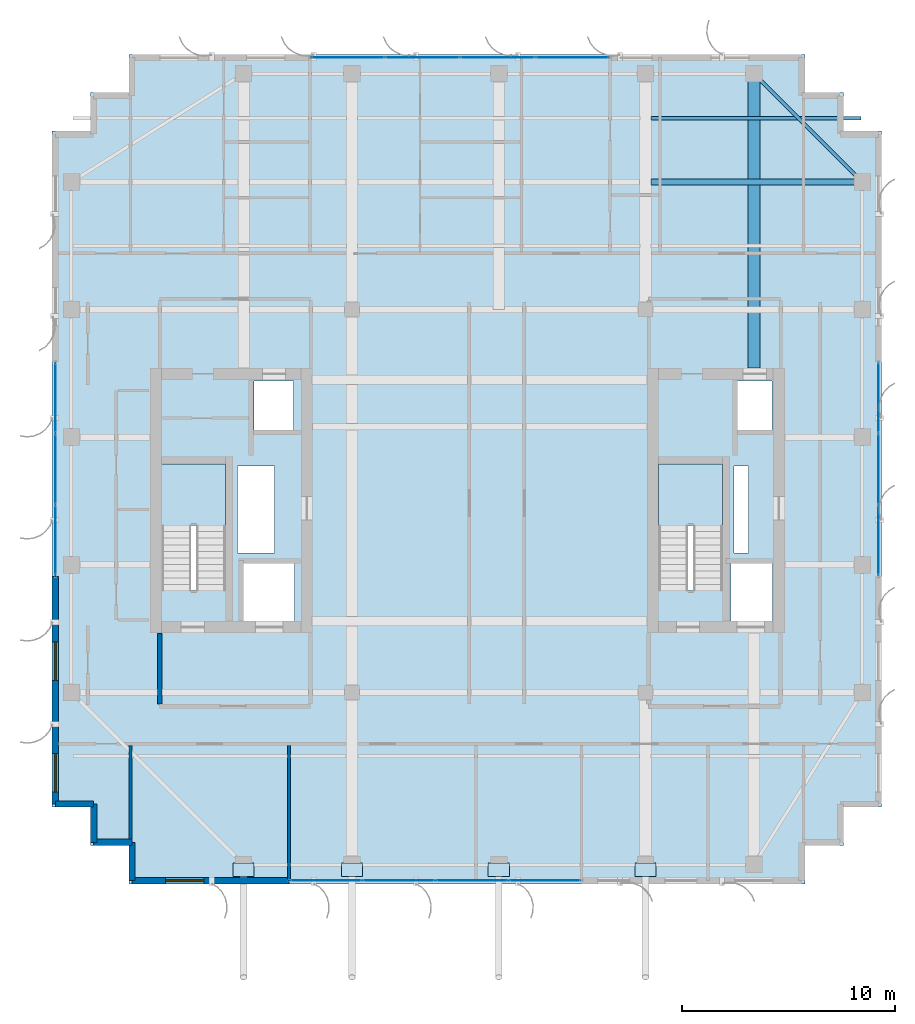
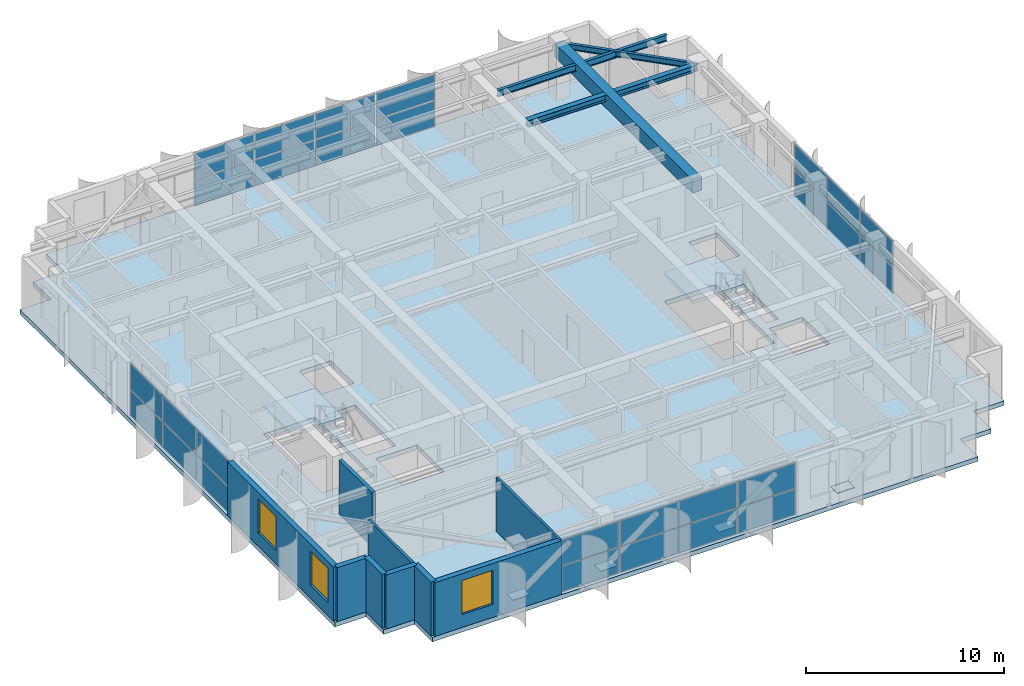
# One storey, part 16 of 22: 32 plates, 9 walls, 4 beams, 3 slabs, 3 windows, 3 openings, 6 elements without a shape of their own.
"""IFC4 building model written with IfcOpenShell, lengths in metres."""

import ifcopenshell
import ifcopenshell.guid

model = None  # the IFC model being written
_history = None  # IfcOwnerHistory: only IFC2X3 demands one
_inside = {}  # id of a spatial element -> (the spatial element, [elements in it])
_under = {}  # id of a project, library or spatial element -> (it, [spatial elements below it])
_declared = {}  # id of a project -> (the project, [libraries it declares])
_typed = {}  # id of a type object -> (the type object, [elements of that type])
_made_of = {}  # id of a material, layer set ... -> (it, [elements and type objects made of it])


def new_model(schema):
    """Start an empty IFC model of exactly this schema.

    Asked for "IFC4X3", IfcOpenShell would pick the latest addendum, in which some entities
    have other attributes; the version numbers below select the first issue.
    IFC2X3 requires an IfcOwnerHistory on every rooted entity: one is made here for all.
    """
    global model, _history
    if schema == "IFC4X3":
        model = ifcopenshell.file(schema_version=(4, 3, 0, 0))
    else:
        model = ifcopenshell.file(schema=schema)
    _inside.clear()
    _under.clear()
    _declared.clear()
    _typed.clear()
    _made_of.clear()
    _history = None
    if model.schema == "IFC2X3":
        org = make("IfcOrganization", Name="unknown")
        user = make(
            "IfcPersonAndOrganization",
            ThePerson=make("IfcPerson", FamilyName="unknown"),
            TheOrganization=org,
        )
        app = make(
            "IfcApplication",
            ApplicationDeveloper=org,
            Version="unknown",
            ApplicationFullName="unknown",
            ApplicationIdentifier="unknown",
        )
        _history = make(
            "IfcOwnerHistory",
            OwningUser=user,
            OwningApplication=app,
            ChangeAction="ADDED",
            CreationDate=0,
        )
    return model


def make(cls, **values):
    """One entity of the class cls with the attributes given. An attribute that is None is left unset."""
    return model.create_entity(
        cls, **{name: value for name, value in values.items() if value is not None}
    )


def rooted(cls, **values):
    """An entity with a GlobalId (a new one), such as an element, a storey or a relation."""
    return make(cls, GlobalId=ifcopenshell.guid.new(), OwnerHistory=_history, **values)


def si_unit(unit_type, name, prefix=None):
    """IfcSIUnit, for example si_unit("LENGTHUNIT", "METRE", prefix="MILLI")."""
    return make("IfcSIUnit", UnitType=unit_type, Prefix=prefix, Name=name)


def assignment(units):
    """IfcUnitAssignment: the units of a project."""
    return None if units is None else make("IfcUnitAssignment", Units=units)


def point(xyz):
    """IfcCartesianPoint."""
    return None if xyz is None else make("IfcCartesianPoint", Coordinates=xyz)


def direction(xyz):
    """IfcDirection."""
    return None if xyz is None else make("IfcDirection", DirectionRatios=xyz)


def frame(location, z_axis=None, x_axis=None):
    """IfcAxis2Placement3D, a coordinate frame: its origin and axes. An axis left out is left unset."""
    return make(
        "IfcAxis2Placement3D",
        Location=point(location),
        Axis=direction(z_axis),
        RefDirection=direction(x_axis),
    )


def frame_2d(location, x_axis=None):
    """IfcAxis2Placement2D, a coordinate frame in the plane: its origin and x axis."""
    return make(
        "IfcAxis2Placement2D", Location=point(location), RefDirection=direction(x_axis)
    )


def origin():
    """The frame at (0, 0, 0) with its axes left unset."""
    return frame((0.0, 0.0, 0.0))


def origin_2d():
    """The frame at (0, 0) in the plane with its x axis left unset."""
    return frame_2d((0.0, 0.0))


def place(relative_to, where):
    """IfcLocalPlacement: puts the frame where relative to a parent placement (None: the world)."""
    return make(
        "IfcLocalPlacement", PlacementRelTo=relative_to, RelativePlacement=where
    )


def context(
    kind, dimensions, precision=None, world=None, true_north=None, identifier=None
):
    """IfcGeometricRepresentationContext, for example the 3D "Model" context."""
    return make(
        "IfcGeometricRepresentationContext",
        ContextIdentifier=identifier,
        ContextType=kind,
        CoordinateSpaceDimension=dimensions,
        Precision=precision,
        WorldCoordinateSystem=world,
        TrueNorth=true_north,
    )


def subcontext(parent, identifier, kind, view, scale=None):
    """IfcGeometricRepresentationSubContext, for example "Body" below "Model"."""
    return make(
        "IfcGeometricRepresentationSubContext",
        ContextIdentifier=identifier,
        ContextType=kind,
        ParentContext=parent,
        TargetScale=scale,
        TargetView=view,
    )


def project(units=None, contexts=None):
    """IfcProject with its units and contexts."""
    return rooted(
        "IfcProject",
        Name="project",
        RepresentationContexts=contexts,
        UnitsInContext=assignment(units),
    )


def spatial(cls, under=None, at=None, **own):
    """A site, building, storey or space (cls), placed at a placement, below another one or the project."""
    s = rooted(cls, ObjectPlacement=at, **own)
    if under is not None:
        _under.setdefault(under.id(), (under, []))[1].append(s)
    return s


def polyline(points):
    """IfcPolyline through the points."""
    return make("IfcPolyline", Points=[point(p) for p in points])


def profile(cls, at=None, kind="AREA", **sizes):
    """A parametric profile (cls). Its sizes go by their IFC names, for example OverallWidth=200.0."""
    return make(cls, ProfileType=kind, Position=at, **sizes)


def rectangle(**sizes):
    """IfcRectangleProfileDef."""
    return profile("IfcRectangleProfileDef", **sizes)


def i_section(**sizes):
    """IfcIShapeProfileDef."""
    return profile("IfcIShapeProfileDef", **sizes)


def outline(outer, holes=None, kind="AREA"):
    """IfcArbitraryClosedProfileDef: a profile drawn as a closed curve; with holes, ...WithVoids."""
    if holes is None:
        return make("IfcArbitraryClosedProfileDef", ProfileType=kind, OuterCurve=outer)
    return make(
        "IfcArbitraryProfileDefWithVoids",
        ProfileType=kind,
        OuterCurve=outer,
        InnerCurves=holes,
    )


def extrude(swept, where, along, depth):
    """IfcExtrudedAreaSolid: the profile swept, set in the frame where, extruded along a direction by depth."""
    return make(
        "IfcExtrudedAreaSolid",
        SweptArea=swept,
        Position=where,
        ExtrudedDirection=direction(along),
        Depth=depth,
    )


def shape(context_of_items, identifier, shape_type, items):
    """IfcShapeRepresentation: the items that make up one representation, for example the "Body"."""
    return make(
        "IfcShapeRepresentation",
        ContextOfItems=context_of_items,
        RepresentationIdentifier=identifier,
        RepresentationType=shape_type,
        Items=items,
    )


def source(mapping_origin, context_of_items, identifier, shape_type, items):
    """IfcRepresentationMap: a shape defined once, which mapped items show again and again."""
    return make(
        "IfcRepresentationMap",
        MappingOrigin=mapping_origin,
        MappedRepresentation=shape(context_of_items, identifier, shape_type, items),
    )


def transform(
    local_origin,
    x_axis=None,
    y_axis=None,
    z_axis=None,
    scale=None,
    scale2=None,
    scale3=None,
    uniform=True,
):
    """IfcCartesianTransformationOperator3D, or its non-uniform kind. x_axis, y_axis, z_axis: its Axis1, 2, 3."""
    if uniform:
        return make(
            "IfcCartesianTransformationOperator3D",
            Axis1=direction(x_axis),
            Axis2=direction(y_axis),
            LocalOrigin=point(local_origin),
            Scale=scale,
            Axis3=direction(z_axis),
        )
    return make(
        "IfcCartesianTransformationOperator3DnonUniform",
        Axis1=direction(x_axis),
        Axis2=direction(y_axis),
        LocalOrigin=point(local_origin),
        Scale=scale,
        Axis3=direction(z_axis),
        Scale2=scale2,
        Scale3=scale3,
    )


def mapped(mapping_source, mapping_target):
    """IfcMappedItem: shows the shape of a source again, moved by a transform."""
    return make(
        "IfcMappedItem", MappingSource=mapping_source, MappingTarget=mapping_target
    )


def material(Name=None, Category=None):
    """IfcMaterial."""
    return make("IfcMaterial", Name=Name, Category=Category)


def layer(
    of_material, thickness, ventilated=None, Name=None, Category=None, Priority=None
):
    """IfcMaterialLayer: one layer of a wall or slab, of a material (None: an air gap)."""
    return make(
        "IfcMaterialLayer",
        Material=of_material,
        LayerThickness=thickness,
        IsVentilated=ventilated,
        Name=Name,
        Category=Category,
        Priority=Priority,
    )


def layer_set(layers, Name=None):
    """IfcMaterialLayerSet."""
    return make("IfcMaterialLayerSet", MaterialLayers=layers, LayerSetName=Name)


def material_profile(
    of_material, cross_section, Name=None, Category=None, Priority=None
):
    """IfcMaterialProfile: a cross section and its material."""
    return make(
        "IfcMaterialProfile",
        Name=Name,
        Material=of_material,
        Profile=cross_section,
        Priority=Priority,
        Category=Category,
    )


def profile_set(profiles, Name=None, composite=None):
    """IfcMaterialProfileSet."""
    return make(
        "IfcMaterialProfileSet",
        Name=Name,
        MaterialProfiles=profiles,
        CompositeProfile=composite,
    )


def made_of(thing, what):
    """Note that an element or type object is made of a material, layer set ...; save() writes the relation."""
    if what is not None:
        _made_of.setdefault(what.id(), (what, []))[1].append(thing)
    return thing


def type_object(cls, material=None, **own):
    """A type object (cls), such as IfcWallType, which elements share."""
    return made_of(rooted(cls, **own), material)


def element(
    cls,
    number,
    at=None,
    inside=None,
    cuts=None,
    type_object=None,
    material=None,
    context=None,
    identifier="Body",
    shape_type=None,
    held_by="IfcProductDefinitionShape",
    body=None,
    shapes=None,
    **own,
):
    """One element of the class cls, such as IfcWall. Its Tag is "e" and its number.

    at: its placement. inside: the storey or other place that contains it. cuts: it is an
    opening in that element (IfcRelVoidsElement). A single representation is given by context,
    identifier, shape_type and body (its items); several are given by shapes. held_by: the class
    of the entity that holds the representations. save() writes the other relations.
    """
    e = rooted(cls, Tag="e%d" % number, ObjectPlacement=at, **own)
    if body is not None:
        shapes = [shape(context, identifier, shape_type, body)]
    if shapes is not None:
        e.Representation = make(held_by, Representations=shapes)
    if inside is not None:
        _inside.setdefault(inside.id(), (inside, []))[1].append(e)
    if cuts is not None:
        rooted(
            "IfcRelVoidsElement", RelatingBuildingElement=cuts, RelatedOpeningElement=e
        )
    if type_object is not None:
        _typed.setdefault(type_object.id(), (type_object, []))[1].append(e)
    return made_of(e, material)


def fill(opening, filler):
    """IfcRelFillsElement: the door or window that sits in an opening."""
    return rooted(
        "IfcRelFillsElement",
        RelatingOpeningElement=opening,
        RelatedBuildingElement=filler,
    )


def aggregate(whole, parts):
    """IfcRelAggregates: a whole, such as a stair, and the parts it consists of."""
    return rooted("IfcRelAggregates", RelatingObject=whole, RelatedObjects=parts)


def save(model, path):
    """Write the relations noted so far, then the file.

    IfcRelAggregates (storeys below a building ...), IfcRelContainedInSpatialStructure (elements
    in a storey), IfcRelDefinesByType, IfcRelAssociatesMaterial and IfcRelDeclares: one each for
    every whole, place, type object, material and project.
    """
    for whole, parts in _under.values():
        aggregate(whole, parts)
    for where, things in _inside.values():
        rooted(
            "IfcRelContainedInSpatialStructure",
            RelatedElements=things,
            RelatingStructure=where,
        )
    for kind, things in _typed.values():
        rooted("IfcRelDefinesByType", RelatedObjects=things, RelatingType=kind)
    for what, things in _made_of.values():
        rooted("IfcRelAssociatesMaterial", RelatedObjects=things, RelatingMaterial=what)
    for by, libraries in _declared.values():
        rooted("IfcRelDeclares", RelatingContext=by, RelatedDefinitions=libraries)
    model.write(path)


model = new_model("IFC4")

# Units and contexts
model_context = context("Model", 3, precision=1e-05, world=origin(), true_north=direction((0.0, 1.0)))
body_context = subcontext(model_context, "Body", "Model", "MODEL_VIEW")
ifc_project = project(units=[si_unit("LENGTHUNIT", "METRE"), si_unit("AREAUNIT", "SQUARE_METRE"), si_unit("VOLUMEUNIT", "CUBIC_METRE"), si_unit("PLANEANGLEUNIT", "RADIAN"), si_unit("MASSUNIT", "GRAM", prefix="KILO")], contexts=[model_context])

# Site, building, storey
site_placement = place(None, origin())
site = spatial("IfcSite", under=ifc_project, at=site_placement, CompositionType="ELEMENT")
building_placement = place(site_placement, origin())
building = spatial("IfcBuilding", under=site, at=building_placement, Name="Khoralis Quay Care Tower", CompositionType="ELEMENT")
storey_placement = place(building_placement, frame((0.0, 0.0, 278.10009765625)))
storey = spatial("IfcBuildingStorey", under=building, at=storey_placement, Name="L73", CompositionType="ELEMENT", Elevation=278.10009765625)

# Beams
ifc_material_1 = material(Name="Steel S355", Category="steel")
ifc_material_profile_1 = material_profile(ifc_material_1, i_section(OverallWidth=0.169921875, OverallDepth=0.360107421875, WebThickness=0.008056640625, FlangeThickness=0.0126953125, FilletRadius=0.01806640625, at=origin_2d()), Name="Steel S355")
ifc_profile_set_1 = profile_set([ifc_material_profile_1], Name="Steel S355")
beam_type_1 = type_object("IfcBeamType", Name="BM-IPE360", PredefinedType="SPANDREL", material=ifc_profile_set_1)
shared_shape_1 = source(origin(), body_context, "Body", "SweptSolid", [
    extrude(i_section(OverallWidth=0.169921875, OverallDepth=0.360107421875, WebThickness=0.008056640625, FlangeThickness=0.0126953125, FilletRadius=0.01806640625, at=origin_2d()), origin(), (0.0, 0.0, 1.0), 7.212646484375),
])
beam_1_placement = place(storey_placement, frame((36.0, 41.10009765625, 3.139892578125), z_axis=(0.707106781187, -0.707106781187, 0.0), x_axis=(0.707106781187, 0.707106781187, 0.0)))
element("IfcBeam", 1, at=beam_1_placement, inside=storey, type_object=beam_type_1, Name="BM-TCR-L73-20", PredefinedType="SPANDREL", context=body_context, shape_type="MappedRepresentation", body=[
    mapped(shared_shape_1, transform((0.0, 0.0, 0.0), scale=1.0)),
])
ifc_material_profile_2 = material_profile(ifc_material_1, i_section(OverallWidth=0.300048828125, OverallDepth=0.39990234375, WebThickness=0.013427734375, FlangeThickness=0.02392578125, FilletRadius=0.027099609375, at=origin_2d()), Name="Steel S355")
ifc_profile_set_2 = profile_set([ifc_material_profile_2], Name="Steel S355")
beam_type_2 = type_object("IfcBeamType", Name="BM-HEB400", PredefinedType="BEAM", material=ifc_profile_set_2)
shared_shape_2 = source(origin(), body_context, "Body", "SweptSolid", [
    extrude(i_section(OverallWidth=0.300048828125, OverallDepth=0.39990234375, WebThickness=0.013427734375, FlangeThickness=0.02392578125, FilletRadius=0.027099609375, at=origin_2d()), origin(), (0.0, 0.0, 1.0), 9.93701171875),
])
beam_2_placement = place(storey_placement, frame((31.1630859375, 36.0, 3.119873046875), z_axis=(1.0, 0.0, 0.0), x_axis=(0.0, 1.0, 0.0)))
element("IfcBeam", 2, at=beam_2_placement, inside=storey, type_object=beam_type_2, Name="BM-TGXE-L73-360", PredefinedType="BEAM", context=body_context, shape_type="MappedRepresentation", body=[
    mapped(shared_shape_2, transform((0.0, 0.0, 0.0), scale=1.0)),
])
ifc_material_2 = material(Name="Concrete C50/60", Category="concrete")
ifc_material_profile_3 = material_profile(ifc_material_2, rectangle(XDim=0.550048828125, YDim=0.85009765625, at=origin_2d()), Name="Concrete C50/60")
ifc_profile_set_3 = profile_set([ifc_material_profile_3], Name="Concrete C50/60")
beam_type_3 = type_object("IfcBeamType", Name="BM-RC550X850", PredefinedType="BEAM", material=ifc_profile_set_3)
shared_shape_3 = source(origin(), body_context, "Body", "SweptSolid", [
    extrude(rectangle(XDim=0.550048828125, YDim=0.85009765625, at=origin_2d()), origin(), (0.0, 0.0, 1.0), 13.85205078125),
])
beam_3_placement = place(storey_placement, frame((36.0, 27.248046875, 2.89501953125), z_axis=(0.0, 1.0, 0.0), x_axis=(-1.0, 0.0, 0.0)))
element("IfcBeam", 3, at=beam_3_placement, inside=storey, type_object=beam_type_3, Name="BM-TGYN-L73-360", PredefinedType="BEAM", context=body_context, shape_type="MappedRepresentation", body=[
    mapped(shared_shape_3, transform((0.0, 0.0, 0.0), scale=1.0)),
])
ifc_material_profile_4 = material_profile(ifc_material_1, i_section(OverallWidth=0.177978515625, OverallDepth=0.406982421875, WebThickness=0.0078125, FlangeThickness=0.0126953125, FilletRadius=0.012939453125, at=origin_2d()), Name="Steel S355")
ifc_profile_set_4 = profile_set([ifc_material_profile_4], Name="Steel S355")
beam_type_4 = type_object("IfcBeamType", Name="BM-W410X60", PredefinedType="JOIST", material=ifc_profile_set_4)
shared_shape_4 = source(origin(), body_context, "Body", "SweptSolid", [
    extrude(i_section(OverallWidth=0.177978515625, OverallDepth=0.406982421875, WebThickness=0.0078125, FlangeThickness=0.0126953125, FilletRadius=0.012939453125, at=origin_2d()), origin(), (0.0, 0.0, 1.0), 9.865966796875),
])
beam_4_placement = place(storey_placement, frame((31.1630859375, 39.0, 3.116455078125), z_axis=(1.0, 0.0, 0.0), x_axis=(0.0, 1.0, 0.0)))
element("IfcBeam", 4, at=beam_4_placement, inside=storey, type_object=beam_type_4, Name="BM-TJS-L73-28", PredefinedType="JOIST", context=body_context, shape_type="MappedRepresentation", body=[
    mapped(shared_shape_4, transform((0.0, 0.0, 0.0), scale=1.0)),
])

# Stair, slab
ifc_material_3 = material(Name="Precast concrete C45/55", Category="concrete")
stair_type = type_object("IfcStairType", Name="ST-TWR-DOGLEG-1400", PredefinedType="HALF_TURN_STAIR", material=ifc_material_3)
stair_1_placement = place(storey_placement, origin())
stair_1 = element("IfcStair", 5, at=stair_1_placement, inside=storey, type_object=stair_type, Name="L73 West Core Exit Stair ST-T1", PredefinedType="HALF_TURN_STAIR")
ifc_layer_1 = layer(ifc_material_3, 0.199951171875)
ifc_layer_set_1 = layer_set([ifc_layer_1], Name="Precast concrete C45/55")
slab_type_1 = type_object("IfcSlabType", Name="SLB-LANDING-200", PredefinedType="LANDING", material=ifc_layer_set_1)
slab_1_placement = place(storey_placement, frame((0.0, 0.0, 1.599853515625)))
slab_1 = element("IfcSlab", 6, at=slab_1_placement, type_object=slab_type_1, Name="ST-T1 landing 1", PredefinedType="LANDING", context=body_context, shape_type="SweptSolid", body=[
    extrude(outline(polyline([(11.14990234375, 19.840087890625), (11.14990234375, 22.75), (8.14990234375, 22.75), (8.14990234375, 19.840087890625), (11.14990234375, 19.840087890625)])), origin(), (0.0, 0.0, 1.0), 0.199951171875),
])
aggregate(stair_1, [slab_1])

stair_2_placement = place(storey_placement, origin())
stair_2 = element("IfcStair", 7, at=stair_2_placement, inside=storey, type_object=stair_type, Name="L73 East Core Exit Stair ST-T2", PredefinedType="HALF_TURN_STAIR")
slab_2_placement = place(storey_placement, frame((0.0, 0.0, 1.599853515625)))
slab_2 = element("IfcSlab", 8, at=slab_2_placement, type_object=slab_type_1, Name="ST-T2 landing 1", PredefinedType="LANDING", context=body_context, shape_type="SweptSolid", body=[
    extrude(outline(polyline([(34.52001953125, 19.840087890625), (34.52001953125, 22.75), (31.52001953125, 22.75), (31.52001953125, 19.840087890625), (34.52001953125, 19.840087890625)])), origin(), (0.0, 0.0, 1.0), 0.199951171875),
])
aggregate(stair_2, [slab_2])

# Slab
ifc_material_4 = material(Name="Concrete C40/50", Category="concrete")
ifc_layer_2 = layer(ifc_material_4, 0.280029296875)
ifc_layer_set_2 = layer_set([ifc_layer_2], Name="Concrete C40/50")
slab_type_2 = type_object("IfcSlabType", Name="SLB-TWR-280", PredefinedType="FLOOR", material=ifc_layer_set_2)
slab_3_placement = place(storey_placement, frame((0.0, 0.0, -0.280029296875)))
element("IfcSlab", 9, at=slab_3_placement, inside=storey, type_object=slab_type_2, Name="Tower Floor Slab L73", PredefinedType="FLOOR", context=body_context, shape_type="SweptSolid", body=[
    extrude(outline(polyline([(6.60009765625, 3.0), (38.39990234375, 3.0), (38.39990234375, 4.800048828125), (40.199951171875, 4.800048828125), (40.199951171875, 6.60009765625), (42.0, 6.60009765625), (42.0, 38.39990234375), (40.199951171875, 38.39990234375), (40.199951171875, 40.199951171875), (38.39990234375, 40.199951171875), (38.39990234375, 42.0), (6.60009765625, 42.0), (6.60009765625, 40.199951171875), (4.800048828125, 40.199951171875), (4.800048828125, 38.39990234375), (3.0, 38.39990234375), (3.0, 6.60009765625), (4.800048828125, 6.60009765625), (4.800048828125, 4.800048828125), (6.60009765625, 4.800048828125), (6.60009765625, 3.0)]), holes=[polyline([(11.14990234375, 16.800048828125), (11.14990234375, 22.75), (8.14990234375, 22.75), (8.14990234375, 16.800048828125), (11.14990234375, 16.800048828125)]), polyline([(34.52001953125, 16.800048828125), (34.52001953125, 22.75), (31.52001953125, 22.75), (31.52001953125, 16.800048828125), (34.52001953125, 16.800048828125)]), polyline([(12.0, 15.35009765625), (14.39990234375, 15.35009765625), (14.39990234375, 18.050048828125), (12.0, 18.050048828125), (12.0, 15.35009765625)]), polyline([(34.919921875, 15.35009765625), (36.8798828125, 15.35009765625), (36.8798828125, 18.050048828125), (34.919921875, 18.050048828125), (34.919921875, 15.35009765625)]), polyline([(12.5, 24.35009765625), (14.35009765625, 24.35009765625), (14.35009765625, 26.64990234375), (12.5, 26.64990234375), (12.5, 24.35009765625)]), polyline([(35.199951171875, 24.35009765625), (36.85009765625, 24.35009765625), (36.85009765625, 26.64990234375), (35.199951171875, 26.64990234375), (35.199951171875, 24.35009765625)]), polyline([(11.719970703125, 18.550048828125), (13.449951171875, 18.550048828125), (13.449951171875, 22.64990234375), (11.719970703125, 22.64990234375), (11.719970703125, 18.550048828125)]), polyline([(35.050048828125, 18.550048828125), (35.75, 18.550048828125), (35.75, 22.64990234375), (35.050048828125, 22.64990234375), (35.050048828125, 18.550048828125)])]), origin(), (0.0, 0.0, 1.0), 0.280029296875),
])

# Plates
ifc_material_5 = material(Name="Steel S460", Category="steel")
ifc_layer_3 = layer(ifc_material_5, 0.031982421875)
ifc_layer_set_3 = layer_set([ifc_layer_3], Name="Steel S460")
plate_type_1 = type_object("IfcPlateType", Name="PLT-NODE-VPN1", PredefinedType="USERDEFINED", material=ifc_layer_set_3)
shared_shape_5 = source(origin(), body_context, "Body", "SweptSolid", [
    extrude(rectangle(XDim=1.0, YDim=0.64990234375, at=origin_2d()), origin(), (0.0, 0.0, 1.0), 0.031982421875),
])
for number, where, z_axis, x_axis, name in (
    (10, (12.0, 3.659912109375, 0.333984375), (0.0, 0.0, 1.0), (1.0, 0.0, 0.0), "PLT-SPND-1-36-2784"),
    (11, (17.10009765625, 3.659912109375, 0.333984375), (0.0, 0.0, 1.0), (1.0, 0.0, 0.0), "PLT-SPND-2-36-2784"),
    (12, (24.0, 3.659912109375, 0.333984375), (0.0, 0.0, 1.0), (1.0, 0.0, 0.0), "PLT-SPND-3-36-2784"),
    (13, (30.89990234375, 3.659912109375, 0.333984375), (0.0, 0.0, 1.0), (1.0, 0.0, 0.0), "PLT-SPND-4-36-2784"),
):
    element("IfcPlate", number, at=place(storey_placement, frame(where, z_axis=z_axis, x_axis=x_axis)), inside=storey, type_object=plate_type_1, Name=name, ObjectType="GUSSET_PLATE", PredefinedType="USERDEFINED", context=body_context, shape_type="MappedRepresentation", body=[
        mapped(shared_shape_5, transform((0.0, 0.0, 0.0), scale=1.0)),
    ])

# Curtain wall, plates
ifc_material_6 = material(Name="Pale anodised aluminium", Category="aluminium")
ifc_layer_4 = layer(ifc_material_6, 0.159912109375)
ifc_layer_set_4 = layer_set([ifc_layer_4], Name="Pale anodised aluminium")
curtain_wall_type = type_object("IfcCurtainWallType", Name="CW-SYS-Z3", PredefinedType="NOTDEFINED", material=ifc_layer_set_4)
curtain_wall_1_placement = place(storey_placement, origin())
curtain_wall_1 = element("IfcCurtainWall", 14, at=curtain_wall_1_placement, inside=storey, type_object=curtain_wall_type, Name="L73 Unitised Curtain Wall CW-L73-P1-E5", PredefinedType="NOTDEFINED")
ifc_material_7 = material(Name="Low-E solar-control double glazing", Category="glass")
ifc_layer_5 = layer(ifc_material_7, 0.031982421875)
ifc_layer_set_5 = layer_set([ifc_layer_5], Name="Low-E solar-control double glazing")
plate_type_2 = type_object("IfcPlateType", Name="PNL-VIS-32", PredefinedType="CURTAIN_PANEL", material=ifc_layer_set_5)
shared_shape_6 = source(origin(), body_context, "Body", "SweptSolid", [
    extrude(rectangle(XDim=3.27001953125, YDim=0.028076171875, at=origin_2d()), origin(), (0.0, 0.0, 1.0), 1.570068359375),
])
plate_1_placement = place(storey_placement, frame((41.85009765625, 19.155029296875, 0.06005859375), z_axis=(0.0, 0.0, 1.0), x_axis=(0.0, 1.0, 0.0)))
plate_1 = element("IfcPlate", 15, at=plate_1_placement, type_object=plate_type_2, Name="CW3 panel 1.1", PredefinedType="CURTAIN_PANEL", context=body_context, shape_type="MappedRepresentation", body=[
    mapped(shared_shape_6, transform((0.0, 0.0, 0.0), scale=1.0)),
])
plate_2_placement = place(storey_placement, frame((41.85009765625, 19.155029296875, 1.68994140625), z_axis=(0.0, 0.0, 1.0), x_axis=(0.0, 1.0, 0.0)))
plate_2 = element("IfcPlate", 16, at=plate_2_placement, type_object=plate_type_2, Name="CW3 panel 1.2", PredefinedType="CURTAIN_PANEL", context=body_context, shape_type="MappedRepresentation", body=[
    mapped(shared_shape_6, transform((0.0, 0.0, 0.0), scale=1.0)),
])
plate_3_placement = place(storey_placement, frame((41.85009765625, 25.844970703125, 0.06005859375), z_axis=(0.0, 0.0, 1.0), x_axis=(0.0, 1.0, 0.0)))
plate_3 = element("IfcPlate", 17, at=plate_3_placement, type_object=plate_type_2, Name="CW3 panel 3.1", PredefinedType="CURTAIN_PANEL", context=body_context, shape_type="MappedRepresentation", body=[
    mapped(shared_shape_6, transform((0.0, 0.0, 0.0), scale=1.0)),
])
plate_4_placement = place(storey_placement, frame((41.85009765625, 25.844970703125, 1.68994140625), z_axis=(0.0, 0.0, 1.0), x_axis=(0.0, 1.0, 0.0)))
plate_4 = element("IfcPlate", 18, at=plate_4_placement, type_object=plate_type_2, Name="CW3 panel 3.2", PredefinedType="CURTAIN_PANEL", context=body_context, shape_type="MappedRepresentation", body=[
    mapped(shared_shape_6, transform((0.0, 0.0, 0.0), scale=1.0)),
])

curtain_wall_2_placement = place(storey_placement, origin())
curtain_wall_2 = element("IfcCurtainWall", 19, at=curtain_wall_2_placement, inside=storey, type_object=curtain_wall_type, Name="L73 Unitised Curtain Wall CW-L73-P1-E15", PredefinedType="NOTDEFINED")
plate_5_placement = place(storey_placement, frame((3.14990234375, 25.844970703125, 0.06005859375), z_axis=(0.0, 0.0, 1.0), x_axis=(0.0, -1.0, 0.0)))
plate_5 = element("IfcPlate", 20, at=plate_5_placement, type_object=plate_type_2, Name="CW3 panel 1.1", PredefinedType="CURTAIN_PANEL", context=body_context, shape_type="MappedRepresentation", body=[
    mapped(shared_shape_6, transform((0.0, 0.0, 0.0), scale=1.0)),
])
plate_6_placement = place(storey_placement, frame((3.14990234375, 25.844970703125, 1.68994140625), z_axis=(0.0, 0.0, 1.0), x_axis=(0.0, -1.0, 0.0)))
plate_6 = element("IfcPlate", 21, at=plate_6_placement, type_object=plate_type_2, Name="CW3 panel 1.2", PredefinedType="CURTAIN_PANEL", context=body_context, shape_type="MappedRepresentation", body=[
    mapped(shared_shape_6, transform((0.0, 0.0, 0.0), scale=1.0)),
])
plate_7_placement = place(storey_placement, frame((3.14990234375, 19.155029296875, 0.06005859375), z_axis=(0.0, 0.0, 1.0), x_axis=(0.0, -1.0, 0.0)))
plate_7 = element("IfcPlate", 22, at=plate_7_placement, type_object=plate_type_2, Name="CW3 panel 3.1", PredefinedType="CURTAIN_PANEL", context=body_context, shape_type="MappedRepresentation", body=[
    mapped(shared_shape_6, transform((0.0, 0.0, 0.0), scale=1.0)),
])
plate_8_placement = place(storey_placement, frame((3.14990234375, 19.155029296875, 1.68994140625), z_axis=(0.0, 0.0, 1.0), x_axis=(0.0, -1.0, 0.0)))
plate_8 = element("IfcPlate", 23, at=plate_8_placement, type_object=plate_type_2, Name="CW3 panel 3.2", PredefinedType="CURTAIN_PANEL", context=body_context, shape_type="MappedRepresentation", body=[
    mapped(shared_shape_6, transform((0.0, 0.0, 0.0), scale=1.0)),
])

# Plate
shared_shape_7 = source(origin(), body_context, "Body", "SweptSolid", [
    extrude(rectangle(XDim=3.300048828125, YDim=0.028076171875, at=origin_2d()), origin(), (0.0, 0.0, 1.0), 1.570068359375),
])
plate_9_placement = place(storey_placement, frame((41.85009765625, 22.5, 0.06005859375), z_axis=(0.0, 0.0, 1.0), x_axis=(0.0, 1.0, 0.0)))
plate_9 = element("IfcPlate", 24, at=plate_9_placement, type_object=plate_type_2, Name="CW3 panel 2.1", PredefinedType="CURTAIN_PANEL", context=body_context, shape_type="MappedRepresentation", body=[
    mapped(shared_shape_7, transform((0.0, 0.0, 0.0), scale=1.0)),
])

plate_10_placement = place(storey_placement, frame((41.85009765625, 22.5, 1.68994140625), z_axis=(0.0, 0.0, 1.0), x_axis=(0.0, 1.0, 0.0)))
plate_10 = element("IfcPlate", 25, at=plate_10_placement, type_object=plate_type_2, Name="CW3 panel 2.2", PredefinedType="CURTAIN_PANEL", context=body_context, shape_type="MappedRepresentation", body=[
    mapped(shared_shape_7, transform((0.0, 0.0, 0.0), scale=1.0)),
])

aggregate(curtain_wall_1, [plate_1, plate_2, plate_9, plate_10, plate_3, plate_4])

plate_11_placement = place(storey_placement, frame((3.14990234375, 22.5, 0.06005859375), z_axis=(0.0, 0.0, 1.0), x_axis=(0.0, -1.0, 0.0)))
plate_11 = element("IfcPlate", 26, at=plate_11_placement, type_object=plate_type_2, Name="CW3 panel 2.1", PredefinedType="CURTAIN_PANEL", context=body_context, shape_type="MappedRepresentation", body=[
    mapped(shared_shape_7, transform((0.0, 0.0, 0.0), scale=1.0)),
])

plate_12_placement = place(storey_placement, frame((3.14990234375, 22.5, 1.68994140625), z_axis=(0.0, 0.0, 1.0), x_axis=(0.0, -1.0, 0.0)))
plate_12 = element("IfcPlate", 27, at=plate_12_placement, type_object=plate_type_2, Name="CW3 panel 2.2", PredefinedType="CURTAIN_PANEL", context=body_context, shape_type="MappedRepresentation", body=[
    mapped(shared_shape_7, transform((0.0, 0.0, 0.0), scale=1.0)),
])

aggregate(curtain_wall_2, [plate_5, plate_6, plate_11, plate_12, plate_7, plate_8])

# Curtain wall, plates
curtain_wall_3_placement = place(storey_placement, origin())
curtain_wall_3 = element("IfcCurtainWall", 28, at=curtain_wall_3_placement, inside=storey, type_object=curtain_wall_type, Name="L73 Unitised Curtain Wall CW-L73-P1-E0", PredefinedType="NOTDEFINED")
shared_shape_8 = source(origin(), body_context, "Body", "SweptSolid", [
    extrude(rectangle(XDim=3.3525390625, YDim=0.028076171875, at=origin_2d()), origin(), (0.0, 0.0, 1.0), 1.570068359375),
])
plate_13_placement = place(storey_placement, frame((15.8662109375, 3.14990234375, 0.06005859375), z_axis=(0.0, 0.0, 1.0), x_axis=(1.0, 0.0, 0.0)))
plate_13 = element("IfcPlate", 29, at=plate_13_placement, type_object=plate_type_2, Name="CW3 panel 1.1", PredefinedType="CURTAIN_PANEL", context=body_context, shape_type="MappedRepresentation", body=[
    mapped(shared_shape_8, transform((0.0, 0.0, 0.0), scale=1.0)),
])
plate_14_placement = place(storey_placement, frame((15.8662109375, 3.14990234375, 1.68994140625), z_axis=(0.0, 0.0, 1.0), x_axis=(1.0, 0.0, 0.0)))
plate_14 = element("IfcPlate", 30, at=plate_14_placement, type_object=plate_type_2, Name="CW3 panel 1.2", PredefinedType="CURTAIN_PANEL", context=body_context, shape_type="MappedRepresentation", body=[
    mapped(shared_shape_8, transform((0.0, 0.0, 0.0), scale=1.0)),
])
plate_15_placement = place(storey_placement, frame((26.163818359375, 3.14990234375, 0.06005859375), z_axis=(0.0, 0.0, 1.0), x_axis=(1.0, 0.0, 0.0)))
plate_15 = element("IfcPlate", 31, at=plate_15_placement, type_object=plate_type_2, Name="CW3 panel 4.1", PredefinedType="CURTAIN_PANEL", context=body_context, shape_type="MappedRepresentation", body=[
    mapped(shared_shape_8, transform((0.0, 0.0, 0.0), scale=1.0)),
])
plate_16_placement = place(storey_placement, frame((26.163818359375, 3.14990234375, 1.68994140625), z_axis=(0.0, 0.0, 1.0), x_axis=(1.0, 0.0, 0.0)))
plate_16 = element("IfcPlate", 32, at=plate_16_placement, type_object=plate_type_2, Name="CW3 panel 4.2", PredefinedType="CURTAIN_PANEL", context=body_context, shape_type="MappedRepresentation", body=[
    mapped(shared_shape_8, transform((0.0, 0.0, 0.0), scale=1.0)),
])
shared_shape_9 = source(origin(), body_context, "Body", "SweptSolid", [
    extrude(rectangle(XDim=3.382568359375, YDim=0.028076171875, at=origin_2d()), origin(), (0.0, 0.0, 1.0), 1.570068359375),
])
plate_17_placement = place(storey_placement, frame((19.293701171875, 3.14990234375, 0.06005859375), z_axis=(0.0, 0.0, 1.0), x_axis=(1.0, 0.0, 0.0)))
plate_17 = element("IfcPlate", 33, at=plate_17_placement, type_object=plate_type_2, Name="CW3 panel 2.1", PredefinedType="CURTAIN_PANEL", context=body_context, shape_type="MappedRepresentation", body=[
    mapped(shared_shape_9, transform((0.0, 0.0, 0.0), scale=1.0)),
])
plate_18_placement = place(storey_placement, frame((19.293701171875, 3.14990234375, 1.68994140625), z_axis=(0.0, 0.0, 1.0), x_axis=(1.0, 0.0, 0.0)))
plate_18 = element("IfcPlate", 34, at=plate_18_placement, type_object=plate_type_2, Name="CW3 panel 2.2", PredefinedType="CURTAIN_PANEL", context=body_context, shape_type="MappedRepresentation", body=[
    mapped(shared_shape_9, transform((0.0, 0.0, 0.0), scale=1.0)),
])
plate_19_placement = place(storey_placement, frame((22.736328125, 3.14990234375, 0.06005859375), z_axis=(0.0, 0.0, 1.0), x_axis=(1.0, 0.0, 0.0)))
plate_19 = element("IfcPlate", 35, at=plate_19_placement, type_object=plate_type_2, Name="CW3 panel 3.1", PredefinedType="CURTAIN_PANEL", context=body_context, shape_type="MappedRepresentation", body=[
    mapped(shared_shape_9, transform((0.0, 0.0, 0.0), scale=1.0)),
])
plate_20_placement = place(storey_placement, frame((22.736328125, 3.14990234375, 1.68994140625), z_axis=(0.0, 0.0, 1.0), x_axis=(1.0, 0.0, 0.0)))
plate_20 = element("IfcPlate", 36, at=plate_20_placement, type_object=plate_type_2, Name="CW3 panel 3.2", PredefinedType="CURTAIN_PANEL", context=body_context, shape_type="MappedRepresentation", body=[
    mapped(shared_shape_9, transform((0.0, 0.0, 0.0), scale=1.0)),
])
aggregate(curtain_wall_3, [plate_13, plate_14, plate_17, plate_18, plate_19, plate_20, plate_15, plate_16])

curtain_wall_4_placement = place(storey_placement, origin())
curtain_wall_4 = element("IfcCurtainWall", 37, at=curtain_wall_4_placement, inside=storey, type_object=curtain_wall_type, Name="L73 Unitised Curtain Wall CW-L73-P1-E10", PredefinedType="NOTDEFINED")
shared_shape_10 = source(origin(), body_context, "Body", "SweptSolid", [
    extrude(rectangle(XDim=3.43994140625, YDim=0.028076171875, at=origin_2d()), origin(), (0.0, 0.0, 1.0), 1.570068359375),
])
plate_21_placement = place(storey_placement, frame((27.4599609375, 41.85009765625, 0.06005859375), z_axis=(0.0, 0.0, 1.0), x_axis=(-1.0, 0.0, 0.0)))
plate_21 = element("IfcPlate", 38, at=plate_21_placement, type_object=plate_type_2, Name="CW3 panel 1.1", PredefinedType="CURTAIN_PANEL", context=body_context, shape_type="MappedRepresentation", body=[
    mapped(shared_shape_10, transform((0.0, 0.0, 0.0), scale=1.0)),
])
plate_22_placement = place(storey_placement, frame((27.4599609375, 41.85009765625, 1.68994140625), z_axis=(0.0, 0.0, 1.0), x_axis=(-1.0, 0.0, 0.0)))
plate_22 = element("IfcPlate", 39, at=plate_22_placement, type_object=plate_type_2, Name="CW3 panel 1.2", PredefinedType="CURTAIN_PANEL", context=body_context, shape_type="MappedRepresentation", body=[
    mapped(shared_shape_10, transform((0.0, 0.0, 0.0), scale=1.0)),
])
plate_23_placement = place(storey_placement, frame((16.89990234375, 41.85009765625, 0.06005859375), z_axis=(0.0, 0.0, 1.0), x_axis=(-1.0, 0.0, 0.0)))
plate_23 = element("IfcPlate", 40, at=plate_23_placement, type_object=plate_type_2, Name="CW3 panel 4.1", PredefinedType="CURTAIN_PANEL", context=body_context, shape_type="MappedRepresentation", body=[
    mapped(shared_shape_10, transform((0.0, 0.0, 0.0), scale=1.0)),
])
plate_24_placement = place(storey_placement, frame((16.89990234375, 41.85009765625, 1.68994140625), z_axis=(0.0, 0.0, 1.0), x_axis=(-1.0, 0.0, 0.0)))
plate_24 = element("IfcPlate", 41, at=plate_24_placement, type_object=plate_type_2, Name="CW3 panel 4.2", PredefinedType="CURTAIN_PANEL", context=body_context, shape_type="MappedRepresentation", body=[
    mapped(shared_shape_10, transform((0.0, 0.0, 0.0), scale=1.0)),
])
shared_shape_11 = source(origin(), body_context, "Body", "SweptSolid", [
    extrude(rectangle(XDim=3.469970703125, YDim=0.028076171875, at=origin_2d()), origin(), (0.0, 0.0, 1.0), 1.570068359375),
])
plate_25_placement = place(storey_placement, frame((23.945068359375, 41.85009765625, 0.06005859375), z_axis=(0.0, 0.0, 1.0), x_axis=(-1.0, 0.0, 0.0)))
plate_25 = element("IfcPlate", 42, at=plate_25_placement, type_object=plate_type_2, Name="CW3 panel 2.1", PredefinedType="CURTAIN_PANEL", context=body_context, shape_type="MappedRepresentation", body=[
    mapped(shared_shape_11, transform((0.0, 0.0, 0.0), scale=1.0)),
])
plate_26_placement = place(storey_placement, frame((23.945068359375, 41.85009765625, 1.68994140625), z_axis=(0.0, 0.0, 1.0), x_axis=(-1.0, 0.0, 0.0)))
plate_26 = element("IfcPlate", 43, at=plate_26_placement, type_object=plate_type_2, Name="CW3 panel 2.2", PredefinedType="CURTAIN_PANEL", context=body_context, shape_type="MappedRepresentation", body=[
    mapped(shared_shape_11, transform((0.0, 0.0, 0.0), scale=1.0)),
])
plate_27_placement = place(storey_placement, frame((20.4150390625, 41.85009765625, 0.06005859375), z_axis=(0.0, 0.0, 1.0), x_axis=(-1.0, 0.0, 0.0)))
plate_27 = element("IfcPlate", 44, at=plate_27_placement, type_object=plate_type_2, Name="CW3 panel 3.1", PredefinedType="CURTAIN_PANEL", context=body_context, shape_type="MappedRepresentation", body=[
    mapped(shared_shape_11, transform((0.0, 0.0, 0.0), scale=1.0)),
])
plate_28_placement = place(storey_placement, frame((20.4150390625, 41.85009765625, 1.68994140625), z_axis=(0.0, 0.0, 1.0), x_axis=(-1.0, 0.0, 0.0)))
plate_28 = element("IfcPlate", 45, at=plate_28_placement, type_object=plate_type_2, Name="CW3 panel 3.2", PredefinedType="CURTAIN_PANEL", context=body_context, shape_type="MappedRepresentation", body=[
    mapped(shared_shape_11, transform((0.0, 0.0, 0.0), scale=1.0)),
])
aggregate(curtain_wall_4, [plate_21, plate_22, plate_25, plate_26, plate_27, plate_28, plate_23, plate_24])

# Wall
ifc_material_8 = material(Name="Gypsum plasterboard on acoustic metal stud")
ifc_layer_6 = layer(ifc_material_8, 0.199951171875)
ifc_layer_set_6 = layer_set([ifc_layer_6], Name="Gypsum plasterboard on acoustic metal stud")
wall_type_1 = type_object("IfcWallType", Name="WL-COMP-200", PredefinedType="PARTITIONING", material=ifc_layer_set_6)
wall_1_placement = place(storey_placement, frame((8.050048828125, 11.445068359375, 0.0), z_axis=(0.0, 0.0, 1.0), x_axis=(0.0, 1.0, 0.0)))
element("IfcWall", 46, at=wall_1_placement, inside=storey, type_object=wall_type_1, Name="L73 West Firefighting Lobby West Wall", PredefinedType="PARTITIONING", context=body_context, shape_type="SweptSolid", body=[
    extrude(rectangle(XDim=3.3349609375, YDim=0.199951171875, at=frame_2d((1.66748046875, 0.0))), origin(), (0.0, 0.0, 1.0), 3.31982421875),
])

# Wall, opening, window
ifc_layer_7 = layer(ifc_material_3, 0.300048828125)
ifc_layer_set_7 = layer_set([ifc_layer_7], Name="Precast concrete C45/55")
wall_type_2 = type_object("IfcWallType", Name="WL-EXT-REF-300", PredefinedType="SOLIDWALL", material=ifc_layer_set_7)
wall_2_placement = place(storey_placement, frame((6.75, 3.14990234375, 0.0), z_axis=(0.0, 0.0, 1.0), x_axis=(1.0, 0.0, 0.0)))
wall_2 = element("IfcWall", 47, at=wall_2_placement, inside=storey, type_object=wall_type_2, Name="L73 External Facade Wall WL-EXT-L73-P1-E0A", PredefinedType="SOLIDWALL", context=body_context, shape_type="SweptSolid", body=[
    extrude(rectangle(XDim=7.3798828125, YDim=0.300048828125, at=frame_2d((3.68994140625, 0.0))), origin(), (0.0, 0.0, 1.0), 3.31982421875),
])
opening_1_placement = place(wall_2_placement, frame((1.580078125, 0.0, 0.800048828125)))
opening_1 = element("IfcOpeningElement", 48, at=opening_1_placement, cuts=wall_2, Name="Opening W2", PredefinedType="OPENING", context=body_context, shape_type="SweptSolid", body=[
    extrude(rectangle(XDim=1.800048828125, YDim=2.10009765625, at=frame_2d((0.89990234375, 1.050048828125))), frame((0.0, 0.16015625, 0.0), z_axis=(0.0, -1.0, 0.0), x_axis=(1.0, 0.0, 0.0)), (0.0, 0.0, 1.0), 0.320068359375),
])
window_type = type_object("IfcWindowType", Name="WN-POD-1800X2100", PartitioningType="SINGLE_PANEL", PredefinedType="WINDOW", material=ifc_material_7)
shared_shape_12 = source(origin(), body_context, "Body", "SweptSolid", [
    extrude(rectangle(XDim=1.800048828125, YDim=2.10009765625, at=frame_2d((0.89990234375, 1.050048828125))), frame((0.0, 0.030029296875, 0.0), z_axis=(0.0, -1.0, 0.0), x_axis=(1.0, 0.0, 0.0)), (0.0, 0.0, 1.0), 0.06005859375),
])
window_1_placement = place(opening_1_placement, origin())
window_1 = element("IfcWindow", 49, at=window_1_placement, inside=storey, type_object=window_type, Name="WN-L73-P1-E0A Facade Window 01", OverallHeight=2.10009765625, OverallWidth=1.800048828125, PartitioningType="SINGLE_PANEL", PredefinedType="WINDOW", context=body_context, shape_type="MappedRepresentation", body=[
    mapped(shared_shape_12, transform((0.0, 0.0, 0.0), scale=1.0)),
])
fill(opening_1, window_1)

# Wall, openings, windows
wall_3_placement = place(storey_placement, frame((3.14990234375, 17.4599609375, 0.0), z_axis=(0.0, 0.0, 1.0), x_axis=(0.0, -1.0, 0.0)))
wall_3 = element("IfcWall", 50, at=wall_3_placement, inside=storey, type_object=wall_type_2, Name="L73 External Facade Wall WL-EXT-L73-P1-E15B", PredefinedType="SOLIDWALL", context=body_context, shape_type="SweptSolid", body=[
    extrude(rectangle(XDim=10.7099609375, YDim=0.300048828125, at=frame_2d((5.35498046875, 0.0))), origin(), (0.0, 0.0, 1.0), 3.31982421875),
])
opening_2_placement = place(wall_3_placement, frame((3.090087890625, 0.0, 0.800048828125)))
opening_2 = element("IfcOpeningElement", 51, at=opening_2_placement, cuts=wall_3, Name="Opening W2", PredefinedType="OPENING", context=body_context, shape_type="SweptSolid", body=[
    extrude(rectangle(XDim=1.800048828125, YDim=2.10009765625, at=frame_2d((0.89990234375, 1.050048828125))), frame((0.0, 0.16015625, 0.0), z_axis=(0.0, -1.0, 0.0), x_axis=(1.0, 0.0, 0.0)), (0.0, 0.0, 1.0), 0.320068359375),
])
opening_3_placement = place(wall_3_placement, frame((8.344970703125, 0.0, 0.800048828125)))
opening_3 = element("IfcOpeningElement", 52, at=opening_3_placement, cuts=wall_3, Name="Opening W2", PredefinedType="OPENING", context=body_context, shape_type="SweptSolid", body=[
    extrude(rectangle(XDim=1.800048828125, YDim=2.10009765625, at=frame_2d((0.89990234375, 1.050048828125))), frame((0.0, 0.16015625, 0.0), z_axis=(0.0, -1.0, 0.0), x_axis=(1.0, 0.0, 0.0)), (0.0, 0.0, 1.0), 0.320068359375),
])
window_2_placement = place(opening_2_placement, origin())
window_2 = element("IfcWindow", 53, at=window_2_placement, inside=storey, type_object=window_type, Name="WN-L73-P1-E15B Facade Window 01", OverallHeight=2.10009765625, OverallWidth=1.800048828125, PartitioningType="SINGLE_PANEL", PredefinedType="WINDOW", context=body_context, shape_type="MappedRepresentation", body=[
    mapped(shared_shape_12, transform((0.0, 0.0, 0.0), scale=1.0)),
])
fill(opening_2, window_2)
window_3_placement = place(opening_3_placement, origin())
window_3 = element("IfcWindow", 54, at=window_3_placement, inside=storey, type_object=window_type, Name="WN-L73-P1-E15B Facade Window 02", OverallHeight=2.10009765625, OverallWidth=1.800048828125, PartitioningType="SINGLE_PANEL", PredefinedType="WINDOW", context=body_context, shape_type="MappedRepresentation", body=[
    mapped(shared_shape_12, transform((0.0, 0.0, 0.0), scale=1.0)),
])
fill(opening_3, window_3)

# Walls
for number, where, z_axis, x_axis, name in (
    (55, (3.14990234375, 6.75, 0.0), (0.0, 0.0, 1.0), (1.0, 0.0, 0.0), "L73 External Facade Wall WL-EXT-L73-P1-C16"),
    (56, (4.949951171875, 6.75, 0.0), (0.0, 0.0, 1.0), (0.0, -1.0, 0.0), "L73 External Facade Wall WL-EXT-L73-P1-C17"),
    (57, (4.949951171875, 4.949951171875, 0.0), (0.0, 0.0, 1.0), (1.0, 0.0, 0.0), "L73 External Facade Wall WL-EXT-L73-P1-C18"),
    (58, (6.75, 4.949951171875, 0.0), (0.0, 0.0, 1.0), (0.0, -1.0, 0.0), "L73 External Facade Wall WL-EXT-L73-P1-C19"),
):
    element("IfcWall", number, at=place(storey_placement, frame(where, z_axis=z_axis, x_axis=x_axis)), inside=storey, type_object=wall_type_2, Name=name, PredefinedType="SOLIDWALL", context=body_context, shape_type="SweptSolid", body=[
        extrude(rectangle(XDim=1.800048828125, YDim=0.300048828125, at=frame_2d((0.89990234375, 0.0))), origin(), (0.0, 0.0, 1.0), 3.31982421875),
    ])
ifc_layer_8 = layer(ifc_material_8, 0.139892578125)
ifc_layer_set_8 = layer_set([ifc_layer_8], Name="Gypsum plasterboard on acoustic metal stud")
wall_type_3 = type_object("IfcWallType", Name="WL-UNIT-140", PredefinedType="PARTITIONING", material=ifc_layer_set_8)
wall_4_placement = place(storey_placement, frame((6.679931640625, 4.945068359375, 0.0), z_axis=(0.0, 0.0, 1.0), x_axis=(0.0, 1.0, 0.0)))
element("IfcWall", 59, at=wall_4_placement, inside=storey, type_object=wall_type_3, Name="L73 SB Demising Wall 0", PredefinedType="PARTITIONING", context=body_context, shape_type="SweptSolid", body=[
    extrude(rectangle(XDim=4.557373046875, YDim=0.139892578125, at=frame_2d((2.27880859375, 0.0))), origin(), (0.0, 0.0, 1.0), 3.31982421875),
])
wall_5_placement = place(storey_placement, frame((14.1298828125, 3.14501953125, 0.0), z_axis=(0.0, 0.0, 1.0), x_axis=(0.0, 1.0, 0.0)))
element("IfcWall", 60, at=wall_5_placement, inside=storey, type_object=wall_type_3, Name="L73 SB Demising Wall 1", PredefinedType="PARTITIONING", context=body_context, shape_type="SweptSolid", body=[
    extrude(rectangle(XDim=6.357421875, YDim=0.139892578125, at=frame_2d((3.1787109375, 0.0))), origin(), (0.0, 0.0, 1.0), 3.31982421875),
])

save(model, "model.ifc")
